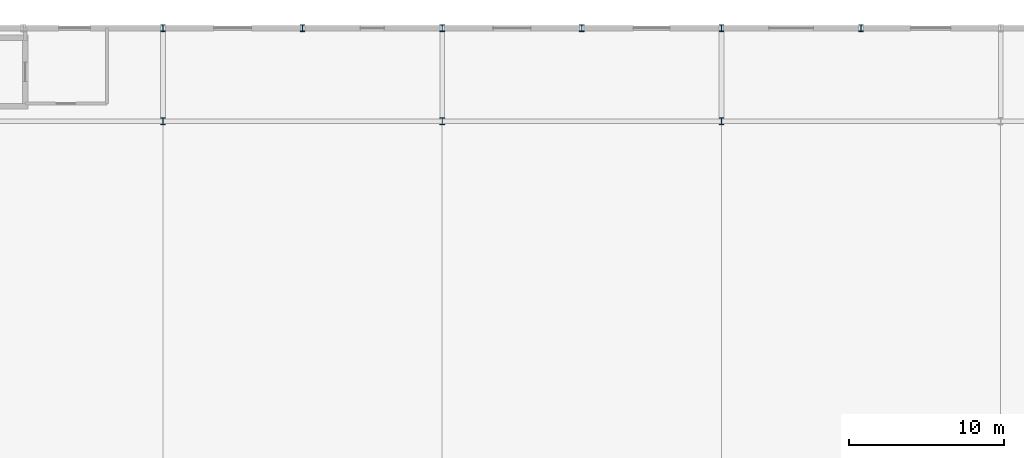
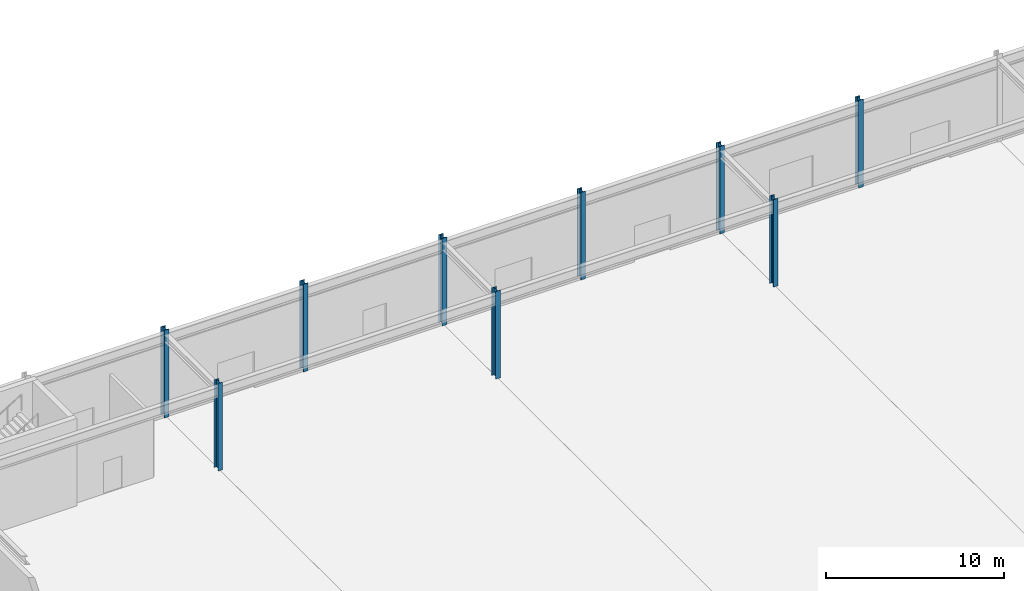
# One storey, part 10 of 146: 9 columns.
"""IFC4 building model written with IfcOpenShell, lengths in metres."""

from ifc_helpers import new_model, si_unit, direction, frame, origin, origin_2d, place, context, subcontext, project, spatial, i_section, extrude, material, material_profile, profile_set, type_object, element, save


model = new_model("IFC4")

# Units and contexts
model_context = context("Model", 3, precision=1e-05, world=origin(), true_north=direction((0.0, 1.0)))
body_context = subcontext(model_context, "Body", "Model", "MODEL_VIEW")
ifc_project = project(units=[si_unit("LENGTHUNIT", "METRE"), si_unit("AREAUNIT", "SQUARE_METRE"), si_unit("VOLUMEUNIT", "CUBIC_METRE"), si_unit("PLANEANGLEUNIT", "RADIAN"), si_unit("MASSUNIT", "GRAM", prefix="KILO")], contexts=[model_context])

# Site, building, storey
site_placement = place(None, origin())
site = spatial("IfcSite", under=ifc_project, at=site_placement, CompositionType="ELEMENT")
building_placement = place(site_placement, origin())
building = spatial("IfcBuilding", under=site, at=building_placement, Name="Kaldris Quays Convention Centre", CompositionType="ELEMENT")
storey_placement = place(building_placement, origin())
storey = spatial("IfcBuildingStorey", under=building, at=storey_placement, Name="L00", CompositionType="ELEMENT", Elevation=0.0)

# Columns
ifc_material_1 = material(Name="Steel S460ML", Category="steel")
ifc_material_profile_1 = material_profile(ifc_material_1, i_section(OverallWidth=0.306884765625, OverallDepth=0.431884765625, WebThickness=0.02099609375, FlangeThickness=0.0400390625, FilletRadius=0.027099609375, at=origin_2d()), Name="HEM 400")
ifc_profile_set_1 = profile_set([ifc_material_profile_1], Name="Steel S460ML")
column_type_1 = type_object("IfcColumnType", Name="STRUCTURAL COLUMN CL01", PredefinedType="COLUMN", material=ifc_profile_set_1)
for number, where, z_axis, x_axis, name in (
    (1, (38.0, 140.0, 0.0), (0.0, 0.0, 1.0), (1.0, 0.0, 0.0), "L00 V1 Column CL01 (38.00, 140.00)"),
    (2, (47.0, 140.0, 0.0), (0.0, 0.0, 1.0), (1.0, 0.0, 0.0), "L00 V1 Column CL01 (47.00, 140.00)"),
    (3, (56.0, 140.0, 0.0), (0.0, 0.0, 1.0), (1.0, 0.0, 0.0), "L00 V1 Column CL01 (56.00, 140.00)"),
    (4, (65.0, 140.0, 0.0), (0.0, 0.0, 1.0), (1.0, 0.0, 0.0), "L00 V1 Column CL01 (65.00, 140.00)"),
    (5, (74.0, 140.0, 0.0), (0.0, 0.0, 1.0), (1.0, 0.0, 0.0), "L00 V1 Column CL01 (74.00, 140.00)"),
    (6, (83.0, 140.0, 0.0), (0.0, 0.0, 1.0), (1.0, 0.0, 0.0), "L00 V1 Column CL01 (83.00, 140.00)"),
):
    element("IfcColumn", number, at=place(storey_placement, frame(where, z_axis=z_axis, x_axis=x_axis)), inside=storey, type_object=column_type_1, Name=name, PredefinedType="COLUMN", context=body_context, shape_type="SweptSolid", body=[
        extrude(i_section(OverallWidth=0.306884765625, OverallDepth=0.431884765625, WebThickness=0.02099609375, FlangeThickness=0.0400390625, FilletRadius=0.027099609375, at=origin_2d()), origin(), (0.0, 0.0, 1.0), 6.0),
    ])
ifc_material_2 = material(Name="Steel S355J2", Category="steel")
ifc_material_profile_2 = material_profile(ifc_material_2, i_section(OverallWidth=0.300048828125, OverallDepth=0.449951171875, WebThickness=0.013916015625, FlangeThickness=0.02587890625, FilletRadius=0.027099609375, at=origin_2d()), Name="HEB 450")
ifc_profile_set_2 = profile_set([ifc_material_profile_2], Name="Steel S355J2")
column_type_2 = type_object("IfcColumnType", Name="STRUCTURAL COLUMN CL08", PredefinedType="COLUMN", material=ifc_profile_set_2)
for number, where, z_axis, x_axis, name in (
    (7, (38.0, 134.0, 0.0), (0.0, 0.0, 1.0), (1.0, 0.0, 0.0), "L00 V1 Column CL08 (38.00, 134.00)"),
    (8, (56.0, 134.0, 0.0), (0.0, 0.0, 1.0), (1.0, 0.0, 0.0), "L00 V1 Column CL08 (56.00, 134.00)"),
    (9, (74.0, 134.0, 0.0), (0.0, 0.0, 1.0), (1.0, 0.0, 0.0), "L00 V1 Column CL08 (74.00, 134.00)"),
):
    element("IfcColumn", number, at=place(storey_placement, frame(where, z_axis=z_axis, x_axis=x_axis)), inside=storey, type_object=column_type_2, Name=name, PredefinedType="COLUMN", context=body_context, shape_type="SweptSolid", body=[
        extrude(i_section(OverallWidth=0.300048828125, OverallDepth=0.449951171875, WebThickness=0.013916015625, FlangeThickness=0.02587890625, FilletRadius=0.027099609375, at=origin_2d()), origin(), (0.0, 0.0, 1.0), 6.0),
    ])

save(model, "model.ifc")
